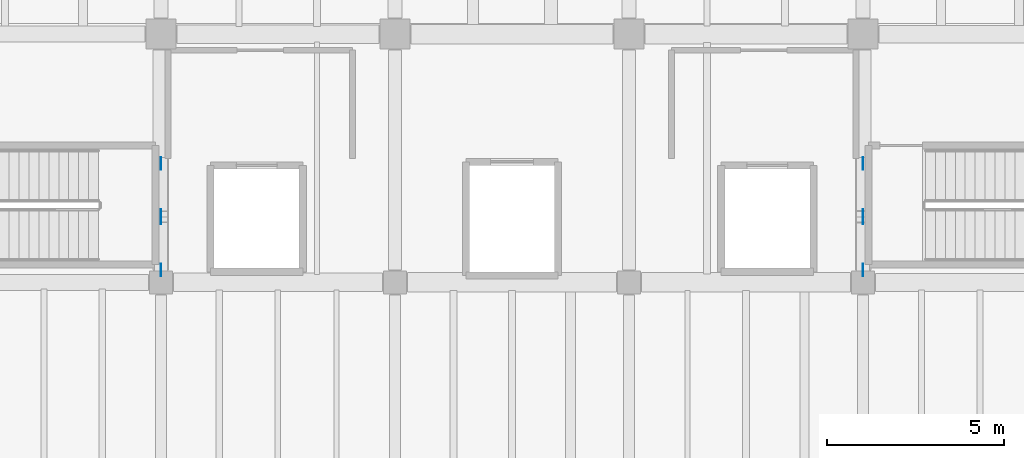
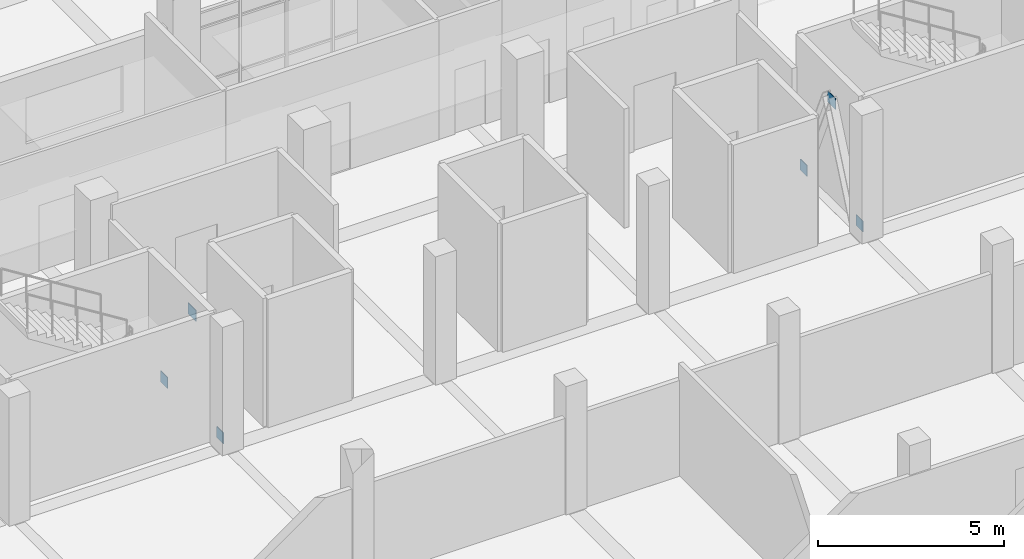
# One storey, part 43 of 69: 6 plates.
"""IFC4 building model written with IfcOpenShell, lengths in metres."""

from ifc_helpers import new_model, si_unit, direction, frame, origin, origin_2d, place, context, subcontext, project, spatial, rectangle, extrude, material, layer, layer_set, type_object, element, save


model = new_model("IFC4")

# Units and contexts
model_context = context("Model", 3, precision=1e-05, world=origin(), true_north=direction((0.0, 1.0)))
body_context = subcontext(model_context, "Body", "Model", "MODEL_VIEW")
ifc_project = project(units=[si_unit("LENGTHUNIT", "METRE"), si_unit("AREAUNIT", "SQUARE_METRE"), si_unit("VOLUMEUNIT", "CUBIC_METRE"), si_unit("PLANEANGLEUNIT", "RADIAN"), si_unit("MASSUNIT", "GRAM", prefix="KILO")], contexts=[model_context])

# Site, building, storey
site_placement = place(None, origin())
site = spatial("IfcSite", under=ifc_project, at=site_placement, CompositionType="ELEMENT")
building_placement = place(site_placement, origin())
building = spatial("IfcBuilding", under=site, at=building_placement, Name="Ciguamira Faculty of Natural Sciences", CompositionType="ELEMENT")
storey_placement = place(building_placement, origin())
storey = spatial("IfcBuildingStorey", under=building, at=storey_placement, Name="L00", CompositionType="ELEMENT", Elevation=0.0)

# Plates
ifc_material = material(Name="Steel ASTM A572 Grade 50", Category="steel")
ifc_layer = layer(ifc_material, 0.02001953125, Name="Steel ASTM A572 Grade 50")
ifc_layer_set = layer_set([ifc_layer], Name="Steel ASTM A572 Grade 50")
plate_type = type_object("IfcPlateType", Name="GussetPlate_EP-02", PredefinedType="SHEET", material=ifc_layer_set)
plate_1_placement = place(storey_placement, frame((77.10009765625, 95.85009765625, 3.10009765625), z_axis=(0.0, 0.0, 1.0), x_axis=(1.0, 0.0, 0.0)))
element("IfcPlate", 1, at=plate_1_placement, inside=storey, type_object=plate_type, Name="L00 chevron brace apex gusset plate 003", PredefinedType="SHEET", context=body_context, shape_type="SweptSolid", body=[
    extrude(rectangle(XDim=0.02001953125, YDim=0.419921875, at=origin_2d()), origin(), (0.0, 0.0, 1.0), 0.360107421875),
])
for number, where, z_axis, x_axis, name in (
    (2, (77.10009765625, 94.35009765625, -0.02001953125), (0.0, 0.0, 1.0), (1.0, 0.0, 0.0), "L00 chevron brace base gusset plate 005"),
    (3, (77.10009765625, 97.35009765625, -0.02001953125), (0.0, 0.0, 1.0), (1.0, 0.0, 0.0), "L00 chevron brace base gusset plate 006"),
):
    element("IfcPlate", number, at=place(storey_placement, frame(where, z_axis=z_axis, x_axis=x_axis)), inside=storey, type_object=plate_type, Name=name, PredefinedType="SHEET", context=body_context, shape_type="SweptSolid", body=[
        extrude(rectangle(XDim=0.02001953125, YDim=0.360107421875, at=origin_2d()), origin(), (0.0, 0.0, 1.0), 0.360107421875),
    ])
plate_2_placement = place(storey_placement, frame((96.89990234375, 95.85009765625, 3.10009765625), z_axis=(0.0, 0.0, 1.0), x_axis=(1.0, 0.0, 0.0)))
element("IfcPlate", 4, at=plate_2_placement, inside=storey, type_object=plate_type, Name="L00 chevron brace apex gusset plate 004", PredefinedType="SHEET", context=body_context, shape_type="SweptSolid", body=[
    extrude(rectangle(XDim=0.02001953125, YDim=0.419921875, at=origin_2d()), origin(), (0.0, 0.0, 1.0), 0.360107421875),
])
for number, where, z_axis, x_axis, name in (
    (5, (96.89990234375, 94.35009765625, -0.02001953125), (0.0, 0.0, 1.0), (1.0, 0.0, 0.0), "L00 chevron brace base gusset plate 007"),
    (6, (96.89990234375, 97.35009765625, -0.02001953125), (0.0, 0.0, 1.0), (1.0, 0.0, 0.0), "L00 chevron brace base gusset plate 008"),
):
    element("IfcPlate", number, at=place(storey_placement, frame(where, z_axis=z_axis, x_axis=x_axis)), inside=storey, type_object=plate_type, Name=name, PredefinedType="SHEET", context=body_context, shape_type="SweptSolid", body=[
        extrude(rectangle(XDim=0.02001953125, YDim=0.360107421875, at=origin_2d()), origin(), (0.0, 0.0, 1.0), 0.360107421875),
    ])

save(model, "model.ifc")
